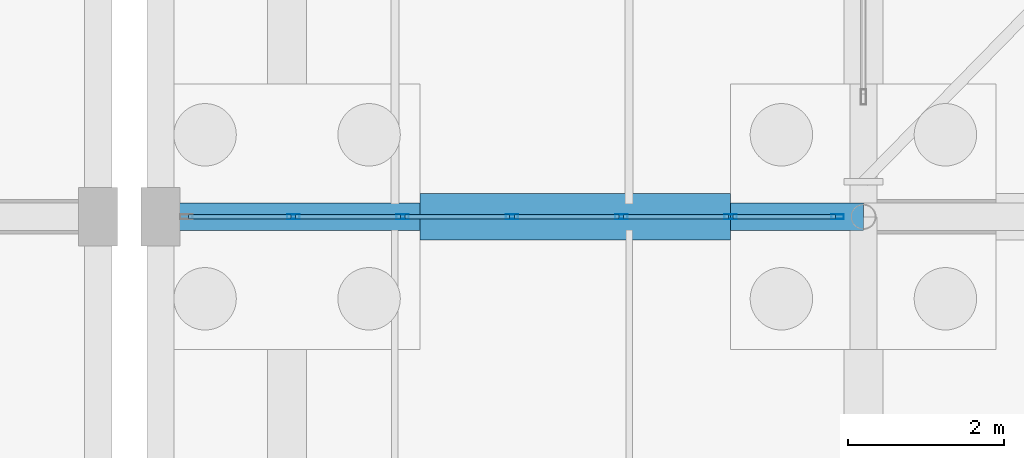
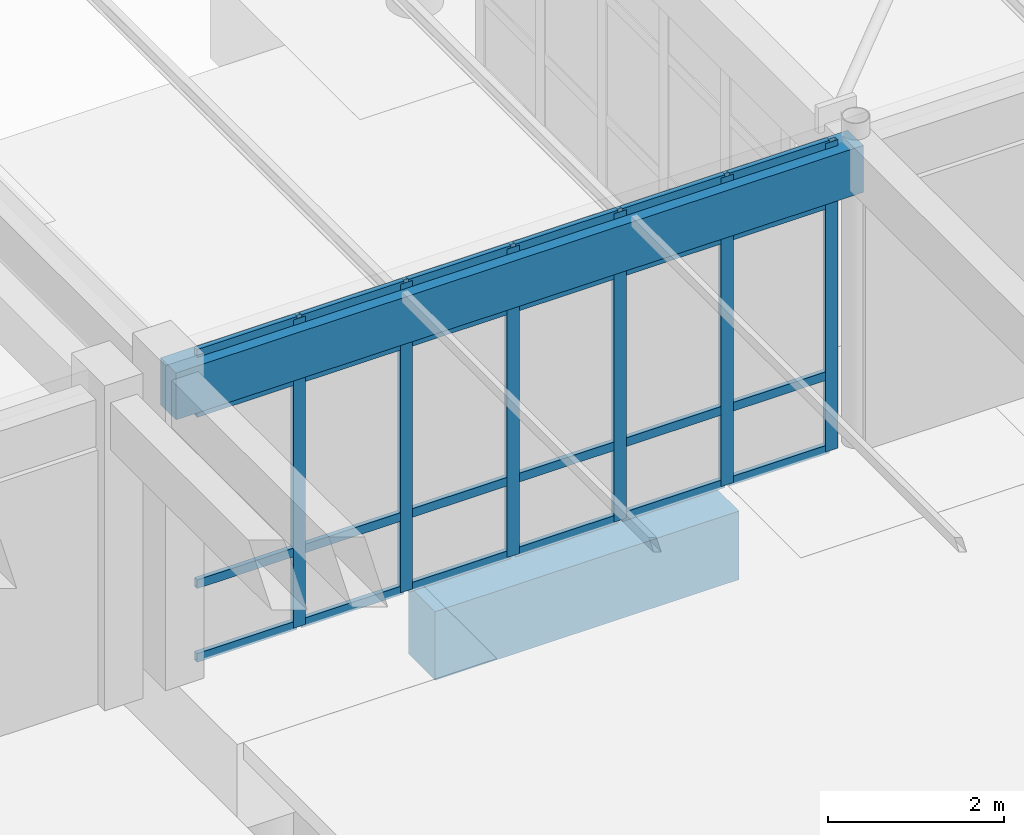
# One storey, part 129 of 186: 30 members, 2 beams, 1 element without a shape of its own.
"""IFC4 building model written with IfcOpenShell, lengths in metres."""

from ifc_helpers import new_model, si_unit, direction, frame, origin, origin_2d, place, context, subcontext, project, spatial, rectangle, hollow_rectangle, extrude, material, layer, layer_set, material_profile, profile_set, type_object, element, aggregate, save


model = new_model("IFC4")

# Units and contexts
model_context = context("Model", 3, precision=1e-05, world=origin(), true_north=direction((0.0, 1.0)))
body_context = subcontext(model_context, "Body", "Model", "MODEL_VIEW")
ifc_project = project(units=[si_unit("LENGTHUNIT", "METRE"), si_unit("AREAUNIT", "SQUARE_METRE"), si_unit("VOLUMEUNIT", "CUBIC_METRE"), si_unit("PLANEANGLEUNIT", "RADIAN"), si_unit("MASSUNIT", "GRAM", prefix="KILO")], contexts=[model_context])

# Site, building, storey
site_placement = place(None, origin())
site = spatial("IfcSite", under=ifc_project, at=site_placement, CompositionType="ELEMENT")
building_placement = place(site_placement, origin())
building = spatial("IfcBuilding", under=site, at=building_placement, Name="Ornek Quay Market", CompositionType="ELEMENT")
storey_placement = place(building_placement, origin())
storey = spatial("IfcBuildingStorey", under=building, at=storey_placement, Name="L00", CompositionType="ELEMENT", Elevation=0.0)

# Beams
ifc_material_1 = material(Name="Concrete C35/45", Category="concrete")
ifc_material_profile_1 = material_profile(ifc_material_1, rectangle(XDim=0.35009765625, YDim=0.64990234375, at=origin_2d()), Name="RC 350x650", Category="concrete")
ifc_profile_set_1 = profile_set([ifc_material_profile_1], Name="Concrete C35/45")
beam_type_1 = type_object("IfcBeamType", Name="BM-CONC-350x650", PredefinedType="BEAM", material=ifc_profile_set_1)
beam_1_placement = place(storey_placement, frame((126.0, 110.0, 3.864990234375), z_axis=(1.0, 0.0, 0.0), x_axis=(0.0, 1.0, 0.0)))
element("IfcBeam", 1, at=beam_1_placement, inside=storey, type_object=beam_type_1, Name="Primary beam B-CN1-033", PredefinedType="BEAM", context=body_context, shape_type="SweptSolid", body=[
    extrude(rectangle(XDim=0.35009765625, YDim=0.64990234375, at=origin_2d()), origin(), (0.0, 0.0, 1.0), 9.0),
])
ifc_material_profile_2 = material_profile(ifc_material_1, rectangle(XDim=0.60009765625, YDim=0.949951171875, at=origin_2d()), Name="RC 600x950", Category="concrete")
ifc_profile_set_2 = profile_set([ifc_material_profile_2], Name="Concrete C35/45")
beam_type_2 = type_object("IfcBeamType", Name="BM-GB-600x950", PredefinedType="BEAM", material=ifc_profile_set_2)
beam_2_placement = place(storey_placement, frame((129.320068359375, 110.0, -0.675048828125), z_axis=(1.0, 0.0, 0.0), x_axis=(0.0, 1.0, 0.0)))
element("IfcBeam", 2, at=beam_2_placement, inside=storey, type_object=beam_type_2, Name="Ground tie beam GB-350", PredefinedType="BEAM", context=body_context, shape_type="SweptSolid", body=[
    extrude(rectangle(XDim=0.60009765625, YDim=0.949951171875, at=origin_2d()), origin(), (0.0, 0.0, 1.0), 3.97998046875),
])

# Curtain wall, members
ifc_material_2 = material(Name="Anodised bronze aluminium and triple low-e glass", Category="aluminium")
ifc_layer = layer(ifc_material_2, 0.179931640625, Name="Anodised bronze aluminium and triple low-e glass", Category="aluminium")
ifc_layer_set = layer_set([ifc_layer], Name="Anodised bronze aluminium and triple low-e glass")
curtain_wall_type = type_object("IfcCurtainWallType", Name="CW-CONC-MOD1500", PredefinedType="USERDEFINED", material=ifc_layer_set)
curtain_wall_placement = place(storey_placement, origin())
curtain_wall = element("IfcCurtainWall", 3, at=curtain_wall_placement, inside=storey, type_object=curtain_wall_type, Name="Curtain wall CW-025", ObjectType="CURTAIN WALL", PredefinedType="USERDEFINED")
ifc_material_3 = material(Name="Anodised aluminium 6063-T6", Category="aluminium")
ifc_material_profile_3 = material_profile(ifc_material_3, hollow_rectangle(XDim=0.06005859375, YDim=0.159912109375, WallThickness=0.00390625, at=origin_2d()), Name="CW-MUL-60x160", Category="aluminium")
ifc_profile_set_3 = profile_set([ifc_material_profile_3], Name="Anodised aluminium 6063-T6")
member_type_1 = type_object("IfcMemberType", Name="CW-MUL-60x160", PredefinedType="MULLION", material=ifc_profile_set_3)
member_1_placement = place(storey_placement, frame((127.699951171875, 110.0, 0.0), z_axis=(0.0, 0.0, 1.0), x_axis=(0.0, 1.0, 0.0)))
member_1 = element("IfcMember", 4, at=member_1_placement, type_object=member_type_1, Name="CW-025 mullion 2", PredefinedType="MULLION", context=body_context, shape_type="SweptSolid", body=[
    extrude(hollow_rectangle(XDim=0.06005859375, YDim=0.159912109375, WallThickness=0.00390625, at=origin_2d()), origin(), (0.0, 0.0, 1.0), 4.27001953125),
])
member_2_placement = place(storey_placement, frame((129.10009765625, 110.0, 0.0), z_axis=(0.0, 0.0, 1.0), x_axis=(0.0, 1.0, 0.0)))
member_2 = element("IfcMember", 5, at=member_2_placement, type_object=member_type_1, Name="CW-025 mullion 3", PredefinedType="MULLION", context=body_context, shape_type="SweptSolid", body=[
    extrude(hollow_rectangle(XDim=0.06005859375, YDim=0.159912109375, WallThickness=0.00390625, at=origin_2d()), origin(), (0.0, 0.0, 1.0), 4.27001953125),
])
member_3_placement = place(storey_placement, frame((130.5, 110.0, 0.0), z_axis=(0.0, 0.0, 1.0), x_axis=(0.0, 1.0, 0.0)))
member_3 = element("IfcMember", 6, at=member_3_placement, type_object=member_type_1, Name="CW-025 mullion 4", PredefinedType="MULLION", context=body_context, shape_type="SweptSolid", body=[
    extrude(hollow_rectangle(XDim=0.06005859375, YDim=0.159912109375, WallThickness=0.00390625, at=origin_2d()), origin(), (0.0, 0.0, 1.0), 4.27001953125),
])
member_4_placement = place(storey_placement, frame((131.89990234375, 110.0, 0.0), z_axis=(0.0, 0.0, 1.0), x_axis=(0.0, 1.0, 0.0)))
member_4 = element("IfcMember", 7, at=member_4_placement, type_object=member_type_1, Name="CW-025 mullion 5", PredefinedType="MULLION", context=body_context, shape_type="SweptSolid", body=[
    extrude(hollow_rectangle(XDim=0.06005859375, YDim=0.159912109375, WallThickness=0.00390625, at=origin_2d()), origin(), (0.0, 0.0, 1.0), 4.27001953125),
])
member_5_placement = place(storey_placement, frame((133.300048828125, 110.0, 0.0), z_axis=(0.0, 0.0, 1.0), x_axis=(0.0, 1.0, 0.0)))
member_5 = element("IfcMember", 8, at=member_5_placement, type_object=member_type_1, Name="CW-025 mullion 6", PredefinedType="MULLION", context=body_context, shape_type="SweptSolid", body=[
    extrude(hollow_rectangle(XDim=0.06005859375, YDim=0.159912109375, WallThickness=0.00390625, at=origin_2d()), origin(), (0.0, 0.0, 1.0), 4.27001953125),
])
member_6_placement = place(storey_placement, frame((134.669921875, 110.0, 0.0), z_axis=(0.0, 0.0, 1.0), x_axis=(0.0, 1.0, 0.0)))
member_6 = element("IfcMember", 9, at=member_6_placement, type_object=member_type_1, Name="CW-025 mullion 7", PredefinedType="MULLION", context=body_context, shape_type="SweptSolid", body=[
    extrude(hollow_rectangle(XDim=0.06005859375, YDim=0.159912109375, WallThickness=0.00390625, at=origin_2d()), origin(), (0.0, 0.0, 1.0), 4.27001953125),
])
ifc_material_profile_4 = material_profile(ifc_material_3, hollow_rectangle(XDim=0.06005859375, YDim=0.1201171875, WallThickness=0.00390625, at=origin_2d()), Name="CW-TRN-60x120", Category="aluminium")
ifc_profile_set_4 = profile_set([ifc_material_profile_4], Name="Anodised aluminium 6063-T6")
member_type_2 = type_object("IfcMemberType", Name="CW-TRN-60x120", PredefinedType="USERDEFINED", material=ifc_profile_set_4)
member_7_placement = place(storey_placement, frame((126.360107421875, 110.0, 0.030029296875), z_axis=(1.0, 0.0, 0.0), x_axis=(0.0, 1.0, 0.0)))
member_7 = element("IfcMember", 10, at=member_7_placement, type_object=member_type_2, Name="CW-025 transom 1.1", ObjectType="TRANSOM", PredefinedType="USERDEFINED", context=body_context, shape_type="SweptSolid", body=[
    extrude(hollow_rectangle(XDim=0.06005859375, YDim=0.1201171875, WallThickness=0.00390625, at=origin_2d()), origin(), (0.0, 0.0, 1.0), 1.309814453125),
])
member_8_placement = place(storey_placement, frame((126.360107421875, 110.0, 1.050048828125), z_axis=(1.0, 0.0, 0.0), x_axis=(0.0, 1.0, 0.0)))
member_8 = element("IfcMember", 11, at=member_8_placement, type_object=member_type_2, Name="CW-025 transom 1.2", ObjectType="TRANSOM", PredefinedType="USERDEFINED", context=body_context, shape_type="SweptSolid", body=[
    extrude(hollow_rectangle(XDim=0.06005859375, YDim=0.1201171875, WallThickness=0.00390625, at=origin_2d()), origin(), (0.0, 0.0, 1.0), 1.309814453125),
])
member_9_placement = place(storey_placement, frame((126.360107421875, 110.0, 3.419921875), z_axis=(1.0, 0.0, 0.0), x_axis=(0.0, 1.0, 0.0)))
member_9 = element("IfcMember", 12, at=member_9_placement, type_object=member_type_2, Name="CW-025 transom 1.3", ObjectType="TRANSOM", PredefinedType="USERDEFINED", context=body_context, shape_type="SweptSolid", body=[
    extrude(hollow_rectangle(XDim=0.06005859375, YDim=0.1201171875, WallThickness=0.00390625, at=origin_2d()), origin(), (0.0, 0.0, 1.0), 1.309814453125),
])
member_10_placement = place(storey_placement, frame((126.360107421875, 110.0, 4.239990234375), z_axis=(1.0, 0.0, 0.0), x_axis=(0.0, 1.0, 0.0)))
member_10 = element("IfcMember", 13, at=member_10_placement, type_object=member_type_2, Name="CW-025 transom 1.4", ObjectType="TRANSOM", PredefinedType="USERDEFINED", context=body_context, shape_type="SweptSolid", body=[
    extrude(hollow_rectangle(XDim=0.06005859375, YDim=0.1201171875, WallThickness=0.00390625, at=origin_2d()), origin(), (0.0, 0.0, 1.0), 1.309814453125),
])
member_11_placement = place(storey_placement, frame((127.72998046875, 110.0, 0.030029296875), z_axis=(1.0, 0.0, 0.0), x_axis=(0.0, 1.0, 0.0)))
member_11 = element("IfcMember", 14, at=member_11_placement, type_object=member_type_2, Name="CW-025 transom 2.1", ObjectType="TRANSOM", PredefinedType="USERDEFINED", context=body_context, shape_type="SweptSolid", body=[
    extrude(hollow_rectangle(XDim=0.06005859375, YDim=0.1201171875, WallThickness=0.00390625, at=origin_2d()), origin(), (0.0, 0.0, 1.0), 1.340087890625),
])
member_12_placement = place(storey_placement, frame((127.72998046875, 110.0, 1.050048828125), z_axis=(1.0, 0.0, 0.0), x_axis=(0.0, 1.0, 0.0)))
member_12 = element("IfcMember", 15, at=member_12_placement, type_object=member_type_2, Name="CW-025 transom 2.2", ObjectType="TRANSOM", PredefinedType="USERDEFINED", context=body_context, shape_type="SweptSolid", body=[
    extrude(hollow_rectangle(XDim=0.06005859375, YDim=0.1201171875, WallThickness=0.00390625, at=origin_2d()), origin(), (0.0, 0.0, 1.0), 1.340087890625),
])
member_13_placement = place(storey_placement, frame((127.72998046875, 110.0, 3.419921875), z_axis=(1.0, 0.0, 0.0), x_axis=(0.0, 1.0, 0.0)))
member_13 = element("IfcMember", 16, at=member_13_placement, type_object=member_type_2, Name="CW-025 transom 2.3", ObjectType="TRANSOM", PredefinedType="USERDEFINED", context=body_context, shape_type="SweptSolid", body=[
    extrude(hollow_rectangle(XDim=0.06005859375, YDim=0.1201171875, WallThickness=0.00390625, at=origin_2d()), origin(), (0.0, 0.0, 1.0), 1.340087890625),
])
member_14_placement = place(storey_placement, frame((127.72998046875, 110.0, 4.239990234375), z_axis=(1.0, 0.0, 0.0), x_axis=(0.0, 1.0, 0.0)))
member_14 = element("IfcMember", 17, at=member_14_placement, type_object=member_type_2, Name="CW-025 transom 2.4", ObjectType="TRANSOM", PredefinedType="USERDEFINED", context=body_context, shape_type="SweptSolid", body=[
    extrude(hollow_rectangle(XDim=0.06005859375, YDim=0.1201171875, WallThickness=0.00390625, at=origin_2d()), origin(), (0.0, 0.0, 1.0), 1.340087890625),
])
member_15_placement = place(storey_placement, frame((129.1298828125, 110.0, 0.030029296875), z_axis=(1.0, 0.0, 0.0), x_axis=(0.0, 1.0, 0.0)))
member_15 = element("IfcMember", 18, at=member_15_placement, type_object=member_type_2, Name="CW-025 transom 3.1", ObjectType="TRANSOM", PredefinedType="USERDEFINED", context=body_context, shape_type="SweptSolid", body=[
    extrude(hollow_rectangle(XDim=0.06005859375, YDim=0.1201171875, WallThickness=0.00390625, at=origin_2d()), origin(), (0.0, 0.0, 1.0), 1.340087890625),
])
member_16_placement = place(storey_placement, frame((129.1298828125, 110.0, 1.050048828125), z_axis=(1.0, 0.0, 0.0), x_axis=(0.0, 1.0, 0.0)))
member_16 = element("IfcMember", 19, at=member_16_placement, type_object=member_type_2, Name="CW-025 transom 3.2", ObjectType="TRANSOM", PredefinedType="USERDEFINED", context=body_context, shape_type="SweptSolid", body=[
    extrude(hollow_rectangle(XDim=0.06005859375, YDim=0.1201171875, WallThickness=0.00390625, at=origin_2d()), origin(), (0.0, 0.0, 1.0), 1.340087890625),
])
member_17_placement = place(storey_placement, frame((129.1298828125, 110.0, 3.419921875), z_axis=(1.0, 0.0, 0.0), x_axis=(0.0, 1.0, 0.0)))
member_17 = element("IfcMember", 20, at=member_17_placement, type_object=member_type_2, Name="CW-025 transom 3.3", ObjectType="TRANSOM", PredefinedType="USERDEFINED", context=body_context, shape_type="SweptSolid", body=[
    extrude(hollow_rectangle(XDim=0.06005859375, YDim=0.1201171875, WallThickness=0.00390625, at=origin_2d()), origin(), (0.0, 0.0, 1.0), 1.340087890625),
])
member_18_placement = place(storey_placement, frame((129.1298828125, 110.0, 4.239990234375), z_axis=(1.0, 0.0, 0.0), x_axis=(0.0, 1.0, 0.0)))
member_18 = element("IfcMember", 21, at=member_18_placement, type_object=member_type_2, Name="CW-025 transom 3.4", ObjectType="TRANSOM", PredefinedType="USERDEFINED", context=body_context, shape_type="SweptSolid", body=[
    extrude(hollow_rectangle(XDim=0.06005859375, YDim=0.1201171875, WallThickness=0.00390625, at=origin_2d()), origin(), (0.0, 0.0, 1.0), 1.340087890625),
])
member_19_placement = place(storey_placement, frame((130.530029296875, 110.0, 0.030029296875), z_axis=(1.0, 0.0, 0.0), x_axis=(0.0, 1.0, 0.0)))
member_19 = element("IfcMember", 22, at=member_19_placement, type_object=member_type_2, Name="CW-025 transom 4.1", ObjectType="TRANSOM", PredefinedType="USERDEFINED", context=body_context, shape_type="SweptSolid", body=[
    extrude(hollow_rectangle(XDim=0.06005859375, YDim=0.1201171875, WallThickness=0.00390625, at=origin_2d()), origin(), (0.0, 0.0, 1.0), 1.340087890625),
])
member_20_placement = place(storey_placement, frame((130.530029296875, 110.0, 1.050048828125), z_axis=(1.0, 0.0, 0.0), x_axis=(0.0, 1.0, 0.0)))
member_20 = element("IfcMember", 23, at=member_20_placement, type_object=member_type_2, Name="CW-025 transom 4.2", ObjectType="TRANSOM", PredefinedType="USERDEFINED", context=body_context, shape_type="SweptSolid", body=[
    extrude(hollow_rectangle(XDim=0.06005859375, YDim=0.1201171875, WallThickness=0.00390625, at=origin_2d()), origin(), (0.0, 0.0, 1.0), 1.340087890625),
])
member_21_placement = place(storey_placement, frame((130.530029296875, 110.0, 3.419921875), z_axis=(1.0, 0.0, 0.0), x_axis=(0.0, 1.0, 0.0)))
member_21 = element("IfcMember", 24, at=member_21_placement, type_object=member_type_2, Name="CW-025 transom 4.3", ObjectType="TRANSOM", PredefinedType="USERDEFINED", context=body_context, shape_type="SweptSolid", body=[
    extrude(hollow_rectangle(XDim=0.06005859375, YDim=0.1201171875, WallThickness=0.00390625, at=origin_2d()), origin(), (0.0, 0.0, 1.0), 1.340087890625),
])
member_22_placement = place(storey_placement, frame((130.530029296875, 110.0, 4.239990234375), z_axis=(1.0, 0.0, 0.0), x_axis=(0.0, 1.0, 0.0)))
member_22 = element("IfcMember", 25, at=member_22_placement, type_object=member_type_2, Name="CW-025 transom 4.4", ObjectType="TRANSOM", PredefinedType="USERDEFINED", context=body_context, shape_type="SweptSolid", body=[
    extrude(hollow_rectangle(XDim=0.06005859375, YDim=0.1201171875, WallThickness=0.00390625, at=origin_2d()), origin(), (0.0, 0.0, 1.0), 1.340087890625),
])
member_23_placement = place(storey_placement, frame((131.929931640625, 110.0, 0.030029296875), z_axis=(1.0, 0.0, 0.0), x_axis=(0.0, 1.0, 0.0)))
member_23 = element("IfcMember", 26, at=member_23_placement, type_object=member_type_2, Name="CW-025 transom 5.1", ObjectType="TRANSOM", PredefinedType="USERDEFINED", context=body_context, shape_type="SweptSolid", body=[
    extrude(hollow_rectangle(XDim=0.06005859375, YDim=0.1201171875, WallThickness=0.00390625, at=origin_2d()), origin(), (0.0, 0.0, 1.0), 1.340087890625),
])
member_24_placement = place(storey_placement, frame((131.929931640625, 110.0, 1.050048828125), z_axis=(1.0, 0.0, 0.0), x_axis=(0.0, 1.0, 0.0)))
member_24 = element("IfcMember", 27, at=member_24_placement, type_object=member_type_2, Name="CW-025 transom 5.2", ObjectType="TRANSOM", PredefinedType="USERDEFINED", context=body_context, shape_type="SweptSolid", body=[
    extrude(hollow_rectangle(XDim=0.06005859375, YDim=0.1201171875, WallThickness=0.00390625, at=origin_2d()), origin(), (0.0, 0.0, 1.0), 1.340087890625),
])
member_25_placement = place(storey_placement, frame((131.929931640625, 110.0, 3.419921875), z_axis=(1.0, 0.0, 0.0), x_axis=(0.0, 1.0, 0.0)))
member_25 = element("IfcMember", 28, at=member_25_placement, type_object=member_type_2, Name="CW-025 transom 5.3", ObjectType="TRANSOM", PredefinedType="USERDEFINED", context=body_context, shape_type="SweptSolid", body=[
    extrude(hollow_rectangle(XDim=0.06005859375, YDim=0.1201171875, WallThickness=0.00390625, at=origin_2d()), origin(), (0.0, 0.0, 1.0), 1.340087890625),
])
member_26_placement = place(storey_placement, frame((131.929931640625, 110.0, 4.239990234375), z_axis=(1.0, 0.0, 0.0), x_axis=(0.0, 1.0, 0.0)))
member_26 = element("IfcMember", 29, at=member_26_placement, type_object=member_type_2, Name="CW-025 transom 5.4", ObjectType="TRANSOM", PredefinedType="USERDEFINED", context=body_context, shape_type="SweptSolid", body=[
    extrude(hollow_rectangle(XDim=0.06005859375, YDim=0.1201171875, WallThickness=0.00390625, at=origin_2d()), origin(), (0.0, 0.0, 1.0), 1.340087890625),
])
member_27_placement = place(storey_placement, frame((133.330078125, 110.0, 0.030029296875), z_axis=(1.0, 0.0, 0.0), x_axis=(0.0, 1.0, 0.0)))
member_27 = element("IfcMember", 30, at=member_27_placement, type_object=member_type_2, Name="CW-025 transom 6.1", ObjectType="TRANSOM", PredefinedType="USERDEFINED", context=body_context, shape_type="SweptSolid", body=[
    extrude(hollow_rectangle(XDim=0.06005859375, YDim=0.1201171875, WallThickness=0.00390625, at=origin_2d()), origin(), (0.0, 0.0, 1.0), 1.309814453125),
])
member_28_placement = place(storey_placement, frame((133.330078125, 110.0, 1.050048828125), z_axis=(1.0, 0.0, 0.0), x_axis=(0.0, 1.0, 0.0)))
member_28 = element("IfcMember", 31, at=member_28_placement, type_object=member_type_2, Name="CW-025 transom 6.2", ObjectType="TRANSOM", PredefinedType="USERDEFINED", context=body_context, shape_type="SweptSolid", body=[
    extrude(hollow_rectangle(XDim=0.06005859375, YDim=0.1201171875, WallThickness=0.00390625, at=origin_2d()), origin(), (0.0, 0.0, 1.0), 1.309814453125),
])
member_29_placement = place(storey_placement, frame((133.330078125, 110.0, 3.419921875), z_axis=(1.0, 0.0, 0.0), x_axis=(0.0, 1.0, 0.0)))
member_29 = element("IfcMember", 32, at=member_29_placement, type_object=member_type_2, Name="CW-025 transom 6.3", ObjectType="TRANSOM", PredefinedType="USERDEFINED", context=body_context, shape_type="SweptSolid", body=[
    extrude(hollow_rectangle(XDim=0.06005859375, YDim=0.1201171875, WallThickness=0.00390625, at=origin_2d()), origin(), (0.0, 0.0, 1.0), 1.309814453125),
])
member_30_placement = place(storey_placement, frame((133.330078125, 110.0, 4.239990234375), z_axis=(1.0, 0.0, 0.0), x_axis=(0.0, 1.0, 0.0)))
member_30 = element("IfcMember", 33, at=member_30_placement, type_object=member_type_2, Name="CW-025 transom 6.4", ObjectType="TRANSOM", PredefinedType="USERDEFINED", context=body_context, shape_type="SweptSolid", body=[
    extrude(hollow_rectangle(XDim=0.06005859375, YDim=0.1201171875, WallThickness=0.00390625, at=origin_2d()), origin(), (0.0, 0.0, 1.0), 1.309814453125),
])
aggregate(curtain_wall, [member_1, member_2, member_3, member_4, member_5, member_6, member_7, member_8, member_9, member_10, member_11, member_12, member_13, member_14, member_15, member_16, member_17, member_18, member_19, member_20, member_21, member_22, member_23, member_24, member_25, member_26, member_27, member_28, member_29, member_30])

save(model, "model.ifc")
